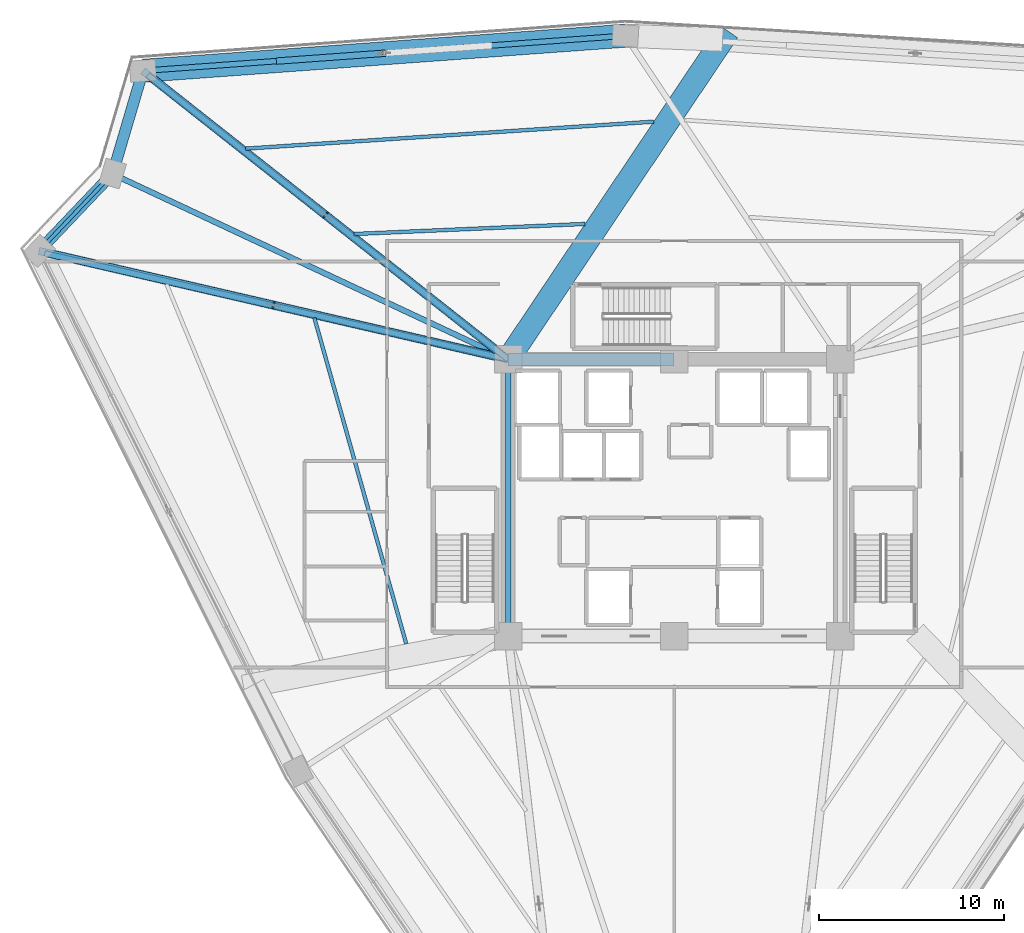
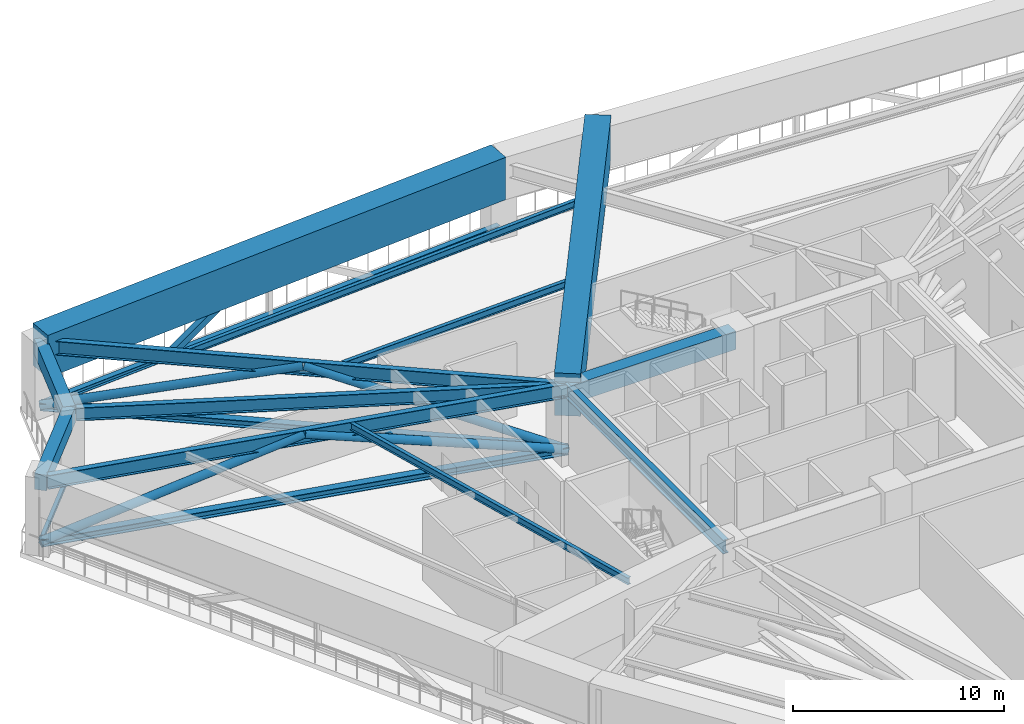
# One storey, part 6 of 27: 12 beams, 9 members.
"""IFC4 building model written with IfcOpenShell, lengths in metres."""

from ifc_helpers import new_model, si_unit, direction, frame, origin, origin_2d, place, context, subcontext, project, spatial, rectangle, hollow_rectangle, hollow_circle, i_section, extrude, source, transform, mapped, material, material_profile, profile_set, type_object, element, save


model = new_model("IFC4")

# Units and contexts
model_context = context("Model", 3, precision=1e-05, world=origin(), true_north=direction((0.0, 1.0)))
body_context = subcontext(model_context, "Body", "Model", "MODEL_VIEW")
ifc_project = project(units=[si_unit("LENGTHUNIT", "METRE"), si_unit("AREAUNIT", "SQUARE_METRE"), si_unit("VOLUMEUNIT", "CUBIC_METRE"), si_unit("PLANEANGLEUNIT", "RADIAN"), si_unit("MASSUNIT", "GRAM", prefix="KILO")], contexts=[model_context])

# Site, building, storey
site_placement = place(None, origin())
site = spatial("IfcSite", under=ifc_project, at=site_placement, CompositionType="ELEMENT")
building_placement = place(site_placement, origin())
building = spatial("IfcBuilding", under=site, at=building_placement, Name="Liaohun Quay Tower", CompositionType="ELEMENT")
storey_placement = place(building_placement, frame((0.0, 0.0, 185.25)))
storey = spatial("IfcBuildingStorey", under=building, at=storey_placement, Name="L48", CompositionType="ELEMENT", Elevation=185.25)

# Beams
ifc_material_1 = material(Name="Concrete C60", Category="concrete")
ifc_material_profile_1 = material_profile(ifc_material_1, rectangle(XDim=0.699951171875, YDim=1.050048828125, at=origin_2d()), Name="RC700x1050")
ifc_profile_set_1 = profile_set([ifc_material_profile_1], Name="Concrete C60")
beam_type_1 = type_object("IfcBeamType", Name="BM-CPL-1", PredefinedType="LINTEL", material=ifc_profile_set_1)
shared_shape_1 = source(origin(), body_context, "Body", "SweptSolid", [
    extrude(rectangle(XDim=0.699951171875, YDim=1.050048828125, at=origin_2d()), origin(), (0.0, 0.0, 1.0), 9.0),
])
beam_1_placement = place(storey_placement, frame((60.0, 61.5, 3.695068359375), z_axis=(-1.0, 0.0, 0.0), x_axis=(0.0, -1.0, 0.0)))
element("IfcBeam", 1, at=beam_1_placement, inside=storey, type_object=beam_type_1, Name="L48 Core Coupling/Ring Beam CC5-CC6", PredefinedType="LINTEL", context=body_context, shape_type="MappedRepresentation", body=[
    mapped(shared_shape_1, transform((0.0, 0.0, 0.0), x_axis=(1.0, 0.0, 0.0), y_axis=(0.0, 1.0, 0.0), z_axis=(0.0, 0.0, 1.0), scale=1.0)),
])
ifc_material_2 = material(Name="Steel Q355D", Category="steel")
ifc_material_profile_2 = material_profile(ifc_material_2, i_section(OverallWidth=0.300048828125, OverallDepth=0.800048828125, WebThickness=0.013916015625, FlangeThickness=0.02587890625, at=origin_2d()), Name="HN800x300x14x26")
ifc_profile_set_2 = profile_set([ifc_material_profile_2], Name="Steel Q355D")
beam_type_2 = type_object("IfcBeamType", Name="BM-RAD-M1", PredefinedType="BEAM", material=ifc_profile_set_2)
shared_shape_2 = source(origin(), body_context, "Body", "SweptSolid", [
    extrude(i_section(OverallWidth=0.300048828125, OverallDepth=0.800048828125, WebThickness=0.013916015625, FlangeThickness=0.02587890625, at=origin_2d()), origin(), (0.0, 0.0, 1.0), 15.0),
])
beam_2_placement = place(storey_placement, frame((51.0, 61.5, 3.820068359375), z_axis=(0.0, -1.0, 0.0), x_axis=(1.0, 0.0, 0.0)))
element("IfcBeam", 2, at=beam_2_placement, inside=storey, type_object=beam_type_2, Name="L48 Core Coupling/Ring Beam CC6-CC1", PredefinedType="BEAM", context=body_context, shape_type="MappedRepresentation", body=[
    mapped(shared_shape_2, transform((0.0, 0.0, 0.0), x_axis=(1.0, 0.0, 0.0), y_axis=(0.0, 1.0, 0.0), z_axis=(0.0, 0.0, 1.0), scale=1.0)),
])
ifc_material_3 = material(Name="Precast concrete C55", Category="concrete")
ifc_material_profile_3 = material_profile(ifc_material_3, rectangle(XDim=0.60009765625, YDim=0.89990234375, at=origin_2d()), Name="RC600x900")
ifc_profile_set_3 = profile_set([ifc_material_profile_3], Name="Precast concrete C55")
beam_type_3 = type_object("IfcBeamType", Name="BM-SPD-Z2", PredefinedType="SPANDREL", material=ifc_profile_set_3)
shared_shape_3 = source(origin(), body_context, "Body", "SweptSolid", [
    extrude(rectangle(XDim=0.60009765625, YDim=0.89990234375, at=origin_2d()), origin(), (0.0, 0.0, 1.0), 5.792724609375),
])
beam_3_placement = place(storey_placement, frame((25.580078125, 67.3701171875, 3.77001953125), z_axis=(0.689292011777, 0.724483624729, 0.0), x_axis=(-0.724483624729, 0.689292011777, 0.0)))
element("IfcBeam", 3, at=beam_3_placement, inside=storey, type_object=beam_type_3, Name="L48 Precast Spandrel Beam PC03-PC04", PredefinedType="SPANDREL", context=body_context, shape_type="MappedRepresentation", body=[
    mapped(shared_shape_3, transform((0.0, 0.0, 0.0), x_axis=(1.0, 0.0, 0.0), y_axis=(0.0, 1.0, 0.0), z_axis=(0.0, 0.0, 1.0), scale=1.0)),
])
shared_shape_4 = source(origin(), body_context, "Body", "SweptSolid", [
    extrude(rectangle(XDim=0.60009765625, YDim=0.89990234375, at=origin_2d()), origin(), (0.0, 0.0, 1.0), 5.80126953125),
])
beam_4_placement = place(storey_placement, frame((29.572998046875, 71.56689453125, 3.77001953125), z_axis=(0.282893074551, 0.959151452259, 0.0), x_axis=(-0.959151452259, 0.282893074551, 0.0)))
element("IfcBeam", 4, at=beam_4_placement, inside=storey, type_object=beam_type_3, Name="L48 Precast Spandrel Beam PC04-PC05", PredefinedType="SPANDREL", context=body_context, shape_type="MappedRepresentation", body=[
    mapped(shared_shape_4, transform((0.0, 0.0, 0.0), x_axis=(1.0, 0.0, 0.0), y_axis=(0.0, 1.0, 0.0), z_axis=(0.0, 0.0, 1.0), scale=1.0)),
])
ifc_material_profile_4 = material_profile(ifc_material_1, rectangle(XDim=1.25, YDim=2.449951171875, at=origin_2d()), Name="RC1250x2450")
ifc_profile_set_4 = profile_set([ifc_material_profile_4], Name="Concrete C60")
beam_type_4 = type_object("IfcBeamType", Name="BM-TRF-1", PredefinedType="BEAM", material=ifc_profile_set_4)
shared_shape_5 = source(origin(), body_context, "Body", "SweptSolid", [
    extrude(rectangle(XDim=1.25, YDim=2.449951171875, at=origin_2d()), origin(), (0.0, 0.0, 1.0), 26.2109375),
])
beam_5_placement = place(storey_placement, frame((31.214111328125, 77.131103515625, 3.5), z_axis=(0.997364076912, 0.072559617464, 0.0), x_axis=(-0.072559617464, 0.997364076912, 0.0)))
element("IfcBeam", 5, at=beam_5_placement, inside=storey, type_object=beam_type_4, Name="L48 Zone-Break Transfer Spandrel PC05-PC06", PredefinedType="BEAM", context=body_context, shape_type="MappedRepresentation", body=[
    mapped(shared_shape_5, transform((0.0, 0.0, 0.0), x_axis=(1.0, 0.0, 0.0), y_axis=(0.0, 1.0, 0.0), z_axis=(0.0, 0.0, 1.0), scale=1.0)),
])
shared_shape_6 = source(origin(), body_context, "Body", "SweptSolid", [
    extrude(rectangle(XDim=1.25, YDim=2.449951171875, at=origin_2d()), origin(), (0.0, 0.0, 1.0), 21.400634765625),
])
beam_6_placement = place(storey_placement, frame((51.0, 61.5, 3.5), z_axis=(0.557316908521, 0.83029986359, 0.0), x_axis=(-0.83029986359, 0.557316908521, 0.0)))
element("IfcBeam", 6, at=beam_6_placement, inside=storey, type_object=beam_type_4, Name="L48 Radial Transfer Girder CC6-PC06", PredefinedType="BEAM", context=body_context, shape_type="MappedRepresentation", body=[
    mapped(shared_shape_6, transform((0.0, 0.0, 0.0), x_axis=(1.0, 0.0, 0.0), y_axis=(0.0, 1.0, 0.0), z_axis=(0.0, 0.0, 1.0), scale=1.0)),
])
shared_shape_7 = source(origin(), body_context, "Body", "SweptSolid", [
    extrude(i_section(OverallWidth=0.300048828125, OverallDepth=0.800048828125, WebThickness=0.013916015625, FlangeThickness=0.02587890625, at=origin_2d()), origin(), (0.0, 0.0, 1.0), 25.752197265625),
])
beam_7_placement = place(storey_placement, frame((51.0, 61.5, 3.820068359375), z_axis=(-0.974833964827, 0.222932144428, 0.0), x_axis=(-0.222932144428, -0.974833964827, 0.0)))
element("IfcBeam", 7, at=beam_7_placement, inside=storey, type_object=beam_type_2, Name="L48 Radial Primary Girder CC6-PC03", PredefinedType="BEAM", context=body_context, shape_type="MappedRepresentation", body=[
    mapped(shared_shape_7, transform((0.0, 0.0, 0.0), x_axis=(1.0, 0.0, 0.0), y_axis=(0.0, 1.0, 0.0), z_axis=(0.0, 0.0, 1.0), scale=1.0)),
])
ifc_material_profile_5 = material_profile(ifc_material_2, i_section(OverallWidth=0.300048828125, OverallDepth=0.75, WebThickness=0.013916015625, FlangeThickness=0.02587890625, at=origin_2d()), Name="HN750x300x14x26")
ifc_profile_set_5 = profile_set([ifc_material_profile_5], Name="Steel Q355D")
beam_type_5 = type_object("IfcBeamType", Name="BM-RAD-M2", PredefinedType="BEAM", material=ifc_profile_set_5)
shared_shape_8 = source(origin(), body_context, "Body", "SweptSolid", [
    extrude(i_section(OverallWidth=0.300048828125, OverallDepth=0.75, WebThickness=0.013916015625, FlangeThickness=0.02587890625, at=origin_2d()), origin(), (0.0, 0.0, 1.0), 23.347412109375),
])
beam_8_placement = place(storey_placement, frame((51.0, 61.5, 3.844970703125), z_axis=(-0.905586236327, 0.424162196071, 0.0), x_axis=(-0.424162196071, -0.905586236327, 0.0)))
element("IfcBeam", 8, at=beam_8_placement, inside=storey, type_object=beam_type_5, Name="L48 Radial Primary Girder CC6-PC04", PredefinedType="BEAM", context=body_context, shape_type="MappedRepresentation", body=[
    mapped(shared_shape_8, transform((0.0, 0.0, 0.0), x_axis=(1.0, 0.0, 0.0), y_axis=(0.0, 1.0, 0.0), z_axis=(0.0, 0.0, 1.0), scale=1.0)),
])
shared_shape_9 = source(origin(), body_context, "Body", "SweptSolid", [
    extrude(i_section(OverallWidth=0.300048828125, OverallDepth=0.800048828125, WebThickness=0.013916015625, FlangeThickness=0.02587890625, at=origin_2d()), origin(), (0.0, 0.0, 1.0), 24.867919921875),
])
beam_9_placement = place(storey_placement, frame((51.0, 61.5, 3.820068359375), z_axis=(-0.784986541769, 0.619512816044, 0.0), x_axis=(-0.619512816044, -0.784986541769, 0.0)))
element("IfcBeam", 9, at=beam_9_placement, inside=storey, type_object=beam_type_2, Name="L48 Radial Primary Girder CC6-PC05", PredefinedType="BEAM", context=body_context, shape_type="MappedRepresentation", body=[
    mapped(shared_shape_9, transform((0.0, 0.0, 0.0), x_axis=(1.0, 0.0, 0.0), y_axis=(0.0, 1.0, 0.0), z_axis=(0.0, 0.0, 1.0), scale=1.0)),
])
ifc_material_profile_6 = material_profile(ifc_material_2, i_section(OverallWidth=0.199951171875, OverallDepth=0.39990234375, WebThickness=0.008056640625, FlangeThickness=0.012939453125, at=origin_2d()), Name="HN400x200x8x13")
ifc_profile_set_6 = profile_set([ifc_material_profile_6], Name="Steel Q355D")
beam_type_6 = type_object("IfcBeamType", Name="BM-SEC-J2", PredefinedType="JOIST", material=ifc_profile_set_6)
shared_shape_10 = source(origin(), body_context, "Body", "SweptSolid", [
    extrude(i_section(OverallWidth=0.199951171875, OverallDepth=0.39990234375, WebThickness=0.008056640625, FlangeThickness=0.012939453125, at=origin_2d()), origin(), (0.0, 0.0, 1.0), 18.353271484375),
])
beam_10_placement = place(storey_placement, frame((45.48193359375, 46.08203125, 4.02001953125), z_axis=(-0.271286388624, 0.962498672907, 0.0), x_axis=(-0.962498672907, -0.271286388624, 0.0)))
element("IfcBeam", 10, at=beam_10_placement, inside=storey, type_object=beam_type_6, Name="L48 Wing Secondary Floor Joist SJ-04", PredefinedType="JOIST", context=body_context, shape_type="MappedRepresentation", body=[
    mapped(shared_shape_10, transform((0.0, 0.0, 0.0), x_axis=(1.0, 0.0, 0.0), y_axis=(0.0, 1.0, 0.0), z_axis=(0.0, 0.0, 1.0), scale=1.0)),
])
shared_shape_11 = source(origin(), body_context, "Body", "SweptSolid", [
    extrude(i_section(OverallWidth=0.199951171875, OverallDepth=0.39990234375, WebThickness=0.008056640625, FlangeThickness=0.012939453125, at=origin_2d()), origin(), (0.0, 0.0, 1.0), 12.54296875),
])
beam_11_placement = place(storey_placement, frame((42.639892578125, 68.2890625, 4.02001953125), z_axis=(0.999052445447, 0.043522537223, 0.0), x_axis=(-0.043522537223, 0.999052445447, 0.0)))
element("IfcBeam", 11, at=beam_11_placement, inside=storey, type_object=beam_type_6, Name="L48 Wing Secondary Floor Joist SJ-06", PredefinedType="JOIST", context=body_context, shape_type="MappedRepresentation", body=[
    mapped(shared_shape_11, transform((0.0, 0.0, 0.0), x_axis=(1.0, 0.0, 0.0), y_axis=(0.0, 1.0, 0.0), z_axis=(0.0, 0.0, 1.0), scale=1.0)),
])
shared_shape_12 = source(origin(), body_context, "Body", "SweptSolid", [
    extrude(i_section(OverallWidth=0.199951171875, OverallDepth=0.39990234375, WebThickness=0.008056640625, FlangeThickness=0.012939453125, at=origin_2d()), origin(), (0.0, 0.0, 1.0), 22.159912109375),
])
beam_12_placement = place(storey_placement, frame((36.778076171875, 72.9150390625, 4.02001953125), z_axis=(0.997824468354, 0.065926704412, 0.0), x_axis=(-0.065926704412, 0.997824468354, 0.0)))
element("IfcBeam", 12, at=beam_12_placement, inside=storey, type_object=beam_type_6, Name="L48 Wing Secondary Floor Joist SJ-07", PredefinedType="JOIST", context=body_context, shape_type="MappedRepresentation", body=[
    mapped(shared_shape_12, transform((0.0, 0.0, 0.0), x_axis=(1.0, 0.0, 0.0), y_axis=(0.0, 1.0, 0.0), z_axis=(0.0, 0.0, 1.0), scale=1.0)),
])

# Members
ifc_material_4 = material(Name="Steel Q420D", Category="steel")
ifc_material_profile_7 = material_profile(ifc_material_4, i_section(OverallWidth=0.405029296875, OverallDepth=0.4140625, WebThickness=0.01806640625, FlangeThickness=0.028076171875, at=origin_2d()), Name="HW414x405x18x28")
ifc_profile_set_7 = profile_set([ifc_material_profile_7], Name="Steel Q420D")
member_type_1 = type_object("IfcMemberType", Name="MEM-OUT-CHD", PredefinedType="CHORD", material=ifc_profile_set_7)
shared_shape_13 = source(origin(), body_context, "Body", "SweptSolid", [
    extrude(i_section(OverallWidth=0.405029296875, OverallDepth=0.4140625, WebThickness=0.01806640625, FlangeThickness=0.028076171875, at=origin_2d()), origin(), (0.0, 0.0, 1.0), 26.0888671875),
])
member_1_placement = place(storey_placement, frame((51.0, 61.5, 0.35009765625), z_axis=(-0.974357748377, 0.225004395908, 0.0), x_axis=(-0.225004395908, -0.974357748377, 0.0)))
element("IfcMember", 13, at=member_1_placement, inside=storey, type_object=member_type_1, Name="L48 Outrigger Bottom Chord OC-02", PredefinedType="CHORD", context=body_context, shape_type="MappedRepresentation", body=[
    mapped(shared_shape_13, transform((0.0, 0.0, 0.0), x_axis=(1.0, 0.0, 0.0), y_axis=(0.0, 1.0, 0.0), z_axis=(0.0, 0.0, 1.0), scale=1.0)),
])
ifc_material_profile_8 = material_profile(ifc_material_4, hollow_circle(Radius=0.228515625, WallThickness=0.02001953125, at=origin_2d()), Name="CHS457x20")
ifc_profile_set_8 = profile_set([ifc_material_profile_8], Name="Steel Q420D")
member_type_2 = type_object("IfcMemberType", Name="MEM-OUT-DG1", PredefinedType="BRACE", material=ifc_profile_set_8)
shared_shape_14 = source(origin(), body_context, "Body", "SweptSolid", [
    extrude(hollow_circle(Radius=0.228515625, WallThickness=0.02001953125, at=origin_2d()), origin(), (0.0, 0.0, 1.0), 13.524169921875),
])
for number, where, z_axis, x_axis, name in (
    (14, (51.0, 61.5, 0.35009765625), (-0.939800766289, 0.217024295281, 0.263960176809), (-0.225004395908, -0.974357748377, 0.0), "L48 Outrigger Diagonal OD-02A"),
    (15, (38.2900390625, 64.43505859375, 3.919921875), (-0.939800766289, 0.217024295281, -0.263960176809), (-0.225004395908, -0.974357748377, 0.0), "L48 Outrigger Diagonal OD-02B"),
):
    element("IfcMember", number, at=place(storey_placement, frame(where, z_axis=z_axis, x_axis=x_axis)), inside=storey, type_object=member_type_2, Name=name, PredefinedType="BRACE", context=body_context, shape_type="MappedRepresentation", body=[
        mapped(shared_shape_14, transform((0.0, 0.0, 0.0), x_axis=(1.0, 0.0, 0.0), y_axis=(0.0, 1.0, 0.0), z_axis=(0.0, 0.0, 1.0), scale=1.0)),
    ])
shared_shape_15 = source(origin(), body_context, "Body", "SweptSolid", [
    extrude(i_section(OverallWidth=0.405029296875, OverallDepth=0.4140625, WebThickness=0.01806640625, FlangeThickness=0.028076171875, at=origin_2d()), origin(), (0.0, 0.0, 1.0), 25.21533203125),
])
member_2_placement = place(storey_placement, frame((51.0, 61.5, 0.35009765625), z_axis=(-0.784677016189, 0.619904815487, 0.0), x_axis=(-0.619904815487, -0.784677016189, 0.0)))
element("IfcMember", 16, at=member_2_placement, inside=storey, type_object=member_type_1, Name="L48 Outrigger Bottom Chord OC-03", PredefinedType="CHORD", context=body_context, shape_type="MappedRepresentation", body=[
    mapped(shared_shape_15, transform((0.0, 0.0, 0.0), x_axis=(1.0, 0.0, 0.0), y_axis=(0.0, 1.0, 0.0), z_axis=(0.0, 0.0, 1.0), scale=1.0)),
])
shared_shape_16 = source(origin(), body_context, "Body", "SweptSolid", [
    extrude(hollow_circle(Radius=0.228515625, WallThickness=0.02001953125, at=origin_2d()), origin(), (0.0, 0.0, 1.0), 13.103515625),
])
member_3_placement = place(storey_placement, frame((51.0, 61.5, 0.35009765625), z_axis=(-0.754987005174, 0.596469917172, 0.272430284528), x_axis=(-0.619917989954, -0.784666608013, 0.0)))
element("IfcMember", 17, at=member_3_placement, inside=storey, type_object=member_type_2, Name="L48 Outrigger Diagonal OD-03A", PredefinedType="BRACE", context=body_context, shape_type="MappedRepresentation", body=[
    mapped(shared_shape_16, transform((0.0, 0.0, 0.0), x_axis=(1.0, 0.0, 0.0), y_axis=(0.0, 1.0, 0.0), z_axis=(0.0, 0.0, 1.0), scale=1.0)),
])
shared_shape_17 = source(origin(), body_context, "Body", "SweptSolid", [
    extrude(hollow_circle(Radius=0.228515625, WallThickness=0.02001953125, at=origin_2d()), origin(), (0.0, 0.0, 1.0), 13.10302734375),
])
member_4_placement = place(storey_placement, frame((41.10693359375, 69.31591796875, 3.919921875), z_axis=(-0.755004164916, 0.596442297157, -0.272443199807), x_axis=(-0.61989164017, -0.784687424677, 0.0)))
element("IfcMember", 18, at=member_4_placement, inside=storey, type_object=member_type_2, Name="L48 Outrigger Diagonal OD-03B", PredefinedType="BRACE", context=body_context, shape_type="MappedRepresentation", body=[
    mapped(shared_shape_17, transform((0.0, 0.0, 0.0), x_axis=(1.0, 0.0, 0.0), y_axis=(0.0, 1.0, 0.0), z_axis=(0.0, 0.0, 1.0), scale=1.0)),
])
ifc_material_profile_9 = material_profile(ifc_material_2, hollow_rectangle(XDim=0.35009765625, YDim=0.35009765625, WallThickness=0.01611328125, at=origin_2d()), Name="SHS350x350x16")
ifc_profile_set_9 = profile_set([ifc_material_profile_9], Name="Steel Q355D")
member_type_3 = type_object("IfcMemberType", Name="MEM-BLT-DG2", PredefinedType="BRACE", material=ifc_profile_set_9)
shared_shape_18 = source(origin(), body_context, "Body", "SweptSolid", [
    extrude(hollow_rectangle(XDim=0.35009765625, YDim=0.35009765625, WallThickness=0.01611328125, at=origin_2d()), origin(), (0.0, 0.0, 1.0), 6.78173828125),
])
member_5_placement = place(storey_placement, frame((38.533935546875, 77.6640625, 0.35009765625), z_axis=(0.848008292766, 0.061631439855, 0.526387215861), x_axis=(-0.07248668614, 0.997369380086, 0.0)))
element("IfcMember", 19, at=member_5_placement, inside=storey, type_object=member_type_3, Name="L48 Belt Truss Diagonal BD-03A", PredefinedType="BRACE", context=body_context, shape_type="MappedRepresentation", body=[
    mapped(shared_shape_18, transform((0.0, 0.0, 0.0), x_axis=(1.0, 0.0, 0.0), y_axis=(0.0, 1.0, 0.0), z_axis=(0.0, 0.0, 1.0), scale=1.0)),
])
ifc_material_profile_10 = material_profile(ifc_material_2, i_section(OverallWidth=0.300048828125, OverallDepth=0.300048828125, WebThickness=0.010009765625, FlangeThickness=0.014892578125, at=origin_2d()), Name="HW300x300x10x15")
ifc_profile_set_10 = profile_set([ifc_material_profile_10], Name="Steel Q355D")
member_type_4 = type_object("IfcMemberType", Name="MEM-BLT-CHD", PredefinedType="CHORD", material=ifc_profile_set_10)
shared_shape_19 = source(origin(), body_context, "Body", "SweptSolid", [
    extrude(i_section(OverallWidth=0.300048828125, OverallDepth=0.300048828125, WebThickness=0.010009765625, FlangeThickness=0.014892578125, at=origin_2d()), origin(), (0.0, 0.0, 1.0), 26.2109375),
])
member_6_placement = place(storey_placement, frame((31.214111328125, 77.131103515625, 0.35009765625), z_axis=(0.997364076912, 0.072559617464, 0.0), x_axis=(-0.072559617464, 0.997364076912, 0.0)))
element("IfcMember", 20, at=member_6_placement, inside=storey, type_object=member_type_4, Name="L48 Belt Truss Bottom Chord BC-1-03", PredefinedType="CHORD", context=body_context, shape_type="MappedRepresentation", body=[
    mapped(shared_shape_19, transform((0.0, 0.0, 0.0), x_axis=(1.0, 0.0, 0.0), y_axis=(0.0, 1.0, 0.0), z_axis=(0.0, 0.0, 1.0), scale=1.0)),
])
ifc_material_profile_11 = material_profile(ifc_material_2, i_section(OverallWidth=0.199951171875, OverallDepth=0.199951171875, WebThickness=0.008056640625, FlangeThickness=0.011962890625, at=origin_2d()), Name="HW200x200x8x12")
ifc_profile_set_11 = profile_set([ifc_material_profile_11], Name="Steel Q355D")
member_type_5 = type_object("IfcMemberType", Name="MEM-HDR-TRM", PredefinedType="STUD", material=ifc_profile_set_11)
shared_shape_20 = source(origin(), body_context, "Body", "SweptSolid", [
    extrude(i_section(OverallWidth=0.199951171875, OverallDepth=0.199951171875, WebThickness=0.008056640625, FlangeThickness=0.011962890625, at=origin_2d()), origin(), (0.0, 0.0, 1.0), 5.792724609375),
])
member_7_placement = place(storey_placement, frame((25.580078125, 67.3701171875, 0.35009765625), z_axis=(0.689292011777, 0.724483624729, 0.0), x_axis=(-0.724483624729, 0.689292011777, 0.0)))
element("IfcMember", 21, at=member_7_placement, inside=storey, type_object=member_type_5, Name="L48 Refuge Notch Header Tie Stud HT-1-01", PredefinedType="STUD", context=body_context, shape_type="MappedRepresentation", body=[
    mapped(shared_shape_20, transform((0.0, 0.0, 0.0), x_axis=(1.0, 0.0, 0.0), y_axis=(0.0, 1.0, 0.0), z_axis=(0.0, 0.0, 1.0), scale=1.0)),
])

save(model, "model.ifc")
